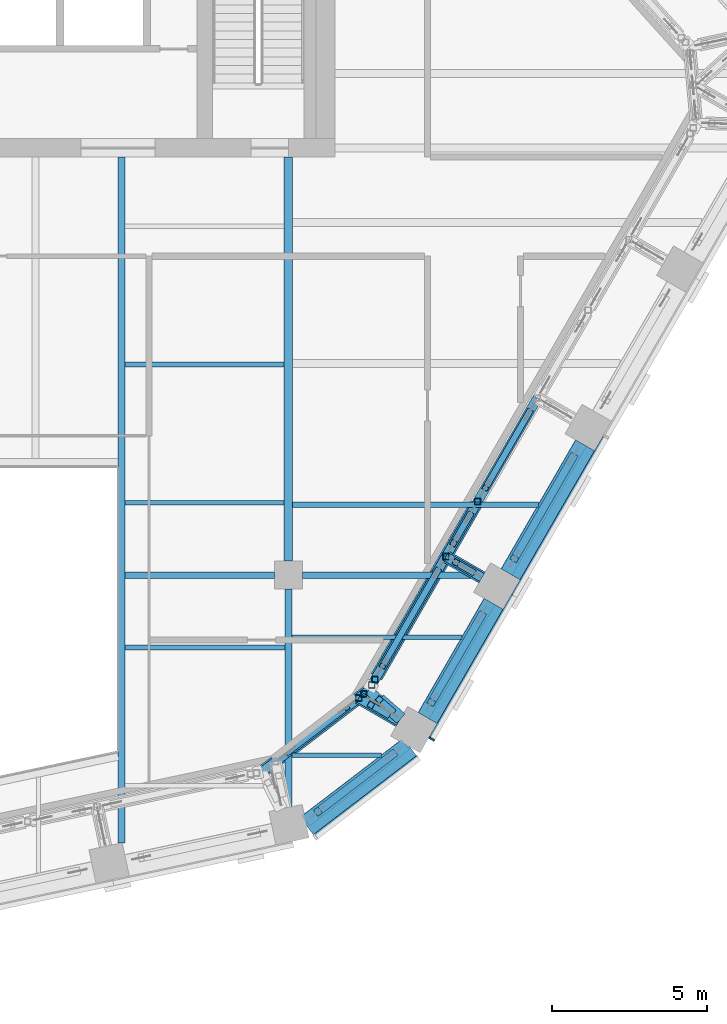
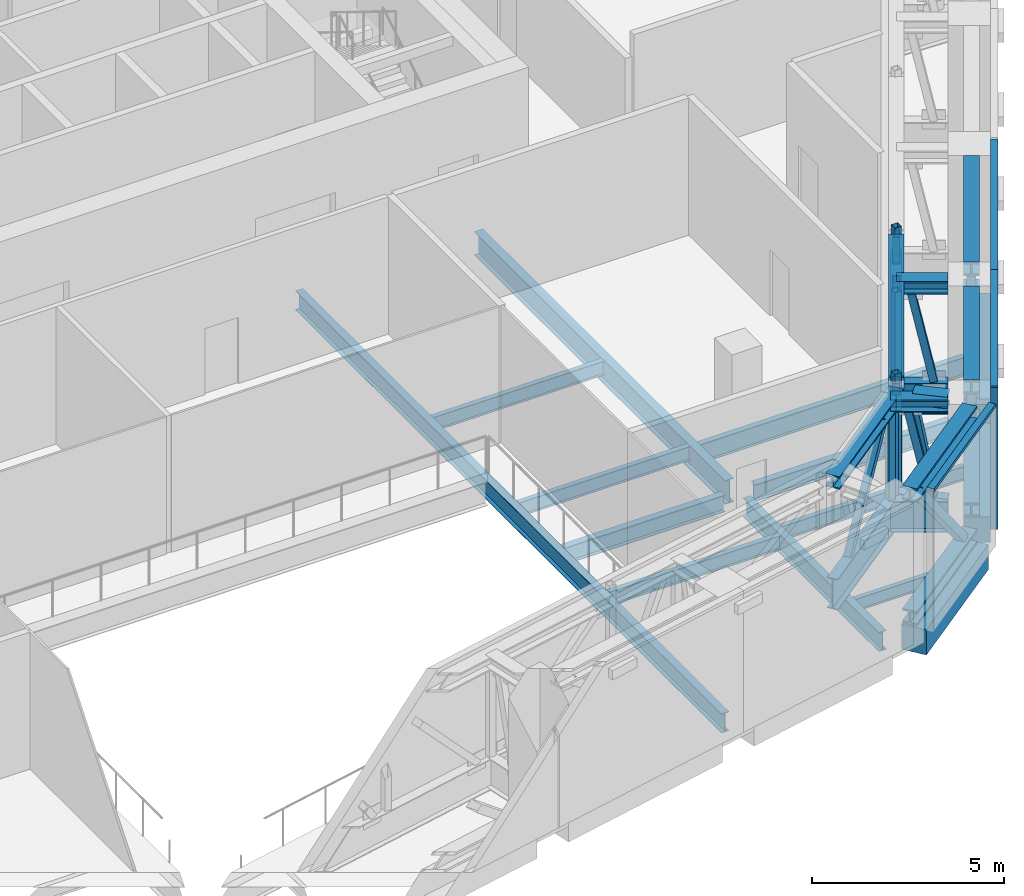
# One storey, part 8 of 25: 37 members, 14 beams, 2 elements without a shape of their own.
"""IFC4 building model written with IfcOpenShell, lengths in metres."""

import ifcopenshell
import ifcopenshell.guid

model = None  # the IFC model being written
_history = None  # IfcOwnerHistory: only IFC2X3 demands one
_inside = {}  # id of a spatial element -> (the spatial element, [elements in it])
_under = {}  # id of a project, library or spatial element -> (it, [spatial elements below it])
_declared = {}  # id of a project -> (the project, [libraries it declares])
_typed = {}  # id of a type object -> (the type object, [elements of that type])
_made_of = {}  # id of a material, layer set ... -> (it, [elements and type objects made of it])


def new_model(schema):
    """Start an empty IFC model of exactly this schema.

    Asked for "IFC4X3", IfcOpenShell would pick the latest addendum, in which some entities
    have other attributes; the version numbers below select the first issue.
    IFC2X3 requires an IfcOwnerHistory on every rooted entity: one is made here for all.
    """
    global model, _history
    if schema == "IFC4X3":
        model = ifcopenshell.file(schema_version=(4, 3, 0, 0))
    else:
        model = ifcopenshell.file(schema=schema)
    _inside.clear()
    _under.clear()
    _declared.clear()
    _typed.clear()
    _made_of.clear()
    _history = None
    if model.schema == "IFC2X3":
        org = make("IfcOrganization", Name="unknown")
        user = make(
            "IfcPersonAndOrganization",
            ThePerson=make("IfcPerson", FamilyName="unknown"),
            TheOrganization=org,
        )
        app = make(
            "IfcApplication",
            ApplicationDeveloper=org,
            Version="unknown",
            ApplicationFullName="unknown",
            ApplicationIdentifier="unknown",
        )
        _history = make(
            "IfcOwnerHistory",
            OwningUser=user,
            OwningApplication=app,
            ChangeAction="ADDED",
            CreationDate=0,
        )
    return model


def make(cls, **values):
    """One entity of the class cls with the attributes given. An attribute that is None is left unset."""
    return model.create_entity(
        cls, **{name: value for name, value in values.items() if value is not None}
    )


def rooted(cls, **values):
    """An entity with a GlobalId (a new one), such as an element, a storey or a relation."""
    return make(cls, GlobalId=ifcopenshell.guid.new(), OwnerHistory=_history, **values)


def si_unit(unit_type, name, prefix=None):
    """IfcSIUnit, for example si_unit("LENGTHUNIT", "METRE", prefix="MILLI")."""
    return make("IfcSIUnit", UnitType=unit_type, Prefix=prefix, Name=name)


def assignment(units):
    """IfcUnitAssignment: the units of a project."""
    return None if units is None else make("IfcUnitAssignment", Units=units)


def point(xyz):
    """IfcCartesianPoint."""
    return None if xyz is None else make("IfcCartesianPoint", Coordinates=xyz)


def direction(xyz):
    """IfcDirection."""
    return None if xyz is None else make("IfcDirection", DirectionRatios=xyz)


def frame(location, z_axis=None, x_axis=None):
    """IfcAxis2Placement3D, a coordinate frame: its origin and axes. An axis left out is left unset."""
    return make(
        "IfcAxis2Placement3D",
        Location=point(location),
        Axis=direction(z_axis),
        RefDirection=direction(x_axis),
    )


def frame_2d(location, x_axis=None):
    """IfcAxis2Placement2D, a coordinate frame in the plane: its origin and x axis."""
    return make(
        "IfcAxis2Placement2D", Location=point(location), RefDirection=direction(x_axis)
    )


def origin():
    """The frame at (0, 0, 0) with its axes left unset."""
    return frame((0.0, 0.0, 0.0))


def origin_2d():
    """The frame at (0, 0) in the plane with its x axis left unset."""
    return frame_2d((0.0, 0.0))


def place(relative_to, where):
    """IfcLocalPlacement: puts the frame where relative to a parent placement (None: the world)."""
    return make(
        "IfcLocalPlacement", PlacementRelTo=relative_to, RelativePlacement=where
    )


def context(
    kind, dimensions, precision=None, world=None, true_north=None, identifier=None
):
    """IfcGeometricRepresentationContext, for example the 3D "Model" context."""
    return make(
        "IfcGeometricRepresentationContext",
        ContextIdentifier=identifier,
        ContextType=kind,
        CoordinateSpaceDimension=dimensions,
        Precision=precision,
        WorldCoordinateSystem=world,
        TrueNorth=true_north,
    )


def subcontext(parent, identifier, kind, view, scale=None):
    """IfcGeometricRepresentationSubContext, for example "Body" below "Model"."""
    return make(
        "IfcGeometricRepresentationSubContext",
        ContextIdentifier=identifier,
        ContextType=kind,
        ParentContext=parent,
        TargetScale=scale,
        TargetView=view,
    )


def project(units=None, contexts=None):
    """IfcProject with its units and contexts."""
    return rooted(
        "IfcProject",
        Name="project",
        RepresentationContexts=contexts,
        UnitsInContext=assignment(units),
    )


def spatial(cls, under=None, at=None, **own):
    """A site, building, storey or space (cls), placed at a placement, below another one or the project."""
    s = rooted(cls, ObjectPlacement=at, **own)
    if under is not None:
        _under.setdefault(under.id(), (under, []))[1].append(s)
    return s


def profile(cls, at=None, kind="AREA", **sizes):
    """A parametric profile (cls). Its sizes go by their IFC names, for example OverallWidth=200.0."""
    return make(cls, ProfileType=kind, Position=at, **sizes)


def rectangle(**sizes):
    """IfcRectangleProfileDef."""
    return profile("IfcRectangleProfileDef", **sizes)


def hollow_rectangle(**sizes):
    """IfcRectangleHollowProfileDef."""
    return profile("IfcRectangleHollowProfileDef", **sizes)


def i_section(**sizes):
    """IfcIShapeProfileDef."""
    return profile("IfcIShapeProfileDef", **sizes)


def extrude(swept, where, along, depth):
    """IfcExtrudedAreaSolid: the profile swept, set in the frame where, extruded along a direction by depth."""
    return make(
        "IfcExtrudedAreaSolid",
        SweptArea=swept,
        Position=where,
        ExtrudedDirection=direction(along),
        Depth=depth,
    )


def shape(context_of_items, identifier, shape_type, items):
    """IfcShapeRepresentation: the items that make up one representation, for example the "Body"."""
    return make(
        "IfcShapeRepresentation",
        ContextOfItems=context_of_items,
        RepresentationIdentifier=identifier,
        RepresentationType=shape_type,
        Items=items,
    )


def material(Name=None, Category=None):
    """IfcMaterial."""
    return make("IfcMaterial", Name=Name, Category=Category)


def layer(
    of_material, thickness, ventilated=None, Name=None, Category=None, Priority=None
):
    """IfcMaterialLayer: one layer of a wall or slab, of a material (None: an air gap)."""
    return make(
        "IfcMaterialLayer",
        Material=of_material,
        LayerThickness=thickness,
        IsVentilated=ventilated,
        Name=Name,
        Category=Category,
        Priority=Priority,
    )


def layer_set(layers, Name=None):
    """IfcMaterialLayerSet."""
    return make("IfcMaterialLayerSet", MaterialLayers=layers, LayerSetName=Name)


def material_profile(
    of_material, cross_section, Name=None, Category=None, Priority=None
):
    """IfcMaterialProfile: a cross section and its material."""
    return make(
        "IfcMaterialProfile",
        Name=Name,
        Material=of_material,
        Profile=cross_section,
        Priority=Priority,
        Category=Category,
    )


def profile_set(profiles, Name=None, composite=None):
    """IfcMaterialProfileSet."""
    return make(
        "IfcMaterialProfileSet",
        Name=Name,
        MaterialProfiles=profiles,
        CompositeProfile=composite,
    )


def made_of(thing, what):
    """Note that an element or type object is made of a material, layer set ...; save() writes the relation."""
    if what is not None:
        _made_of.setdefault(what.id(), (what, []))[1].append(thing)
    return thing


def type_object(cls, material=None, **own):
    """A type object (cls), such as IfcWallType, which elements share."""
    return made_of(rooted(cls, **own), material)


def element(
    cls,
    number,
    at=None,
    inside=None,
    cuts=None,
    type_object=None,
    material=None,
    context=None,
    identifier="Body",
    shape_type=None,
    held_by="IfcProductDefinitionShape",
    body=None,
    shapes=None,
    **own,
):
    """One element of the class cls, such as IfcWall. Its Tag is "e" and its number.

    at: its placement. inside: the storey or other place that contains it. cuts: it is an
    opening in that element (IfcRelVoidsElement). A single representation is given by context,
    identifier, shape_type and body (its items); several are given by shapes. held_by: the class
    of the entity that holds the representations. save() writes the other relations.
    """
    e = rooted(cls, Tag="e%d" % number, ObjectPlacement=at, **own)
    if body is not None:
        shapes = [shape(context, identifier, shape_type, body)]
    if shapes is not None:
        e.Representation = make(held_by, Representations=shapes)
    if inside is not None:
        _inside.setdefault(inside.id(), (inside, []))[1].append(e)
    if cuts is not None:
        rooted(
            "IfcRelVoidsElement", RelatingBuildingElement=cuts, RelatedOpeningElement=e
        )
    if type_object is not None:
        _typed.setdefault(type_object.id(), (type_object, []))[1].append(e)
    return made_of(e, material)


def aggregate(whole, parts):
    """IfcRelAggregates: a whole, such as a stair, and the parts it consists of."""
    return rooted("IfcRelAggregates", RelatingObject=whole, RelatedObjects=parts)


def save(model, path):
    """Write the relations noted so far, then the file.

    IfcRelAggregates (storeys below a building ...), IfcRelContainedInSpatialStructure (elements
    in a storey), IfcRelDefinesByType, IfcRelAssociatesMaterial and IfcRelDeclares: one each for
    every whole, place, type object, material and project.
    """
    for whole, parts in _under.values():
        aggregate(whole, parts)
    for where, things in _inside.values():
        rooted(
            "IfcRelContainedInSpatialStructure",
            RelatedElements=things,
            RelatingStructure=where,
        )
    for kind, things in _typed.values():
        rooted("IfcRelDefinesByType", RelatedObjects=things, RelatingType=kind)
    for what, things in _made_of.values():
        rooted("IfcRelAssociatesMaterial", RelatedObjects=things, RelatingMaterial=what)
    for by, libraries in _declared.values():
        rooted("IfcRelDeclares", RelatingContext=by, RelatedDefinitions=libraries)
    model.write(path)


model = new_model("IFC4")

# Units and contexts
model_context = context("Model", 3, precision=1e-05, world=origin(), true_north=direction((0.0, 1.0)))
body_context = subcontext(model_context, "Body", "Model", "MODEL_VIEW")
ifc_project = project(units=[si_unit("LENGTHUNIT", "METRE"), si_unit("AREAUNIT", "SQUARE_METRE"), si_unit("VOLUMEUNIT", "CUBIC_METRE"), si_unit("PLANEANGLEUNIT", "RADIAN"), si_unit("MASSUNIT", "GRAM", prefix="KILO")], contexts=[model_context])

# Site, building, storey
site_placement = place(None, origin())
site = spatial("IfcSite", under=ifc_project, at=site_placement, CompositionType="ELEMENT")
building_placement = place(site_placement, origin())
building = spatial("IfcBuilding", under=site, at=building_placement, Name="Isthmus Gate Tower", CompositionType="ELEMENT")
storey_placement = place(building_placement, frame((0.0, 0.0, 256.449951171875)))
storey = spatial("IfcBuildingStorey", under=building, at=storey_placement, Name="L65", CompositionType="ELEMENT", Elevation=256.449951171875)

# Members
ifc_material_1 = material(Name="Structural steel ASTM A913 Gr 65", Category="steel")
ifc_material_profile_1 = material_profile(ifc_material_1, i_section(OverallWidth=0.416015625, OverallDepth=0.444580078125, WebThickness=0.039794921875, FlangeThickness=0.0634765625, at=origin_2d()), Name="W14X342")
ifc_profile_set_1 = profile_set([ifc_material_profile_1], Name="Structural steel ASTM A913 Gr 65")
member_type_1 = type_object("IfcMemberType", Name="BELT TRUSS CHORD W14X342", PredefinedType="CHORD", material=ifc_profile_set_1)
for number, where, z_axis, x_axis, name in (
    (1, (22.957763671875, -9.236083984375, 0.222412109375), (-0.49998164095, -0.866036003127, 0.0), (0.866036003127, -0.49998164095, 0.0), "str-belt08-L65-01"),
    (2, (22.957763671875, -9.236083984375, 4.127685546875), (-0.49998164095, -0.866036003127, 0.0), (0.866036003127, -0.49998164095, 0.0), "str-belt08-L65-02"),
):
    element("IfcMember", number, at=place(storey_placement, frame(where, z_axis=z_axis, x_axis=x_axis)), inside=storey, type_object=member_type_1, Name=name, PredefinedType="CHORD", context=body_context, shape_type="SweptSolid", body=[
        extrude(i_section(OverallWidth=0.416015625, OverallDepth=0.444580078125, WebThickness=0.039794921875, FlangeThickness=0.0634765625, at=origin_2d()), origin(), (0.0, 0.0, 1.0), 4.810791015625),
    ])
for number, where, z_axis, x_axis, name in (
    (3, (20.00244140625, -14.35498046875, 0.222412109375), (-0.500021719575, -0.866012863619, 0.0), (0.866012863619, -0.500021719575, 0.0), "str-belt09-L65-01"),
    (4, (20.00244140625, -14.35498046875, 4.127685546875), (-0.500021719575, -0.866012863619, 0.0), (0.866012863619, -0.500021719575, 0.0), "str-belt09-L65-02"),
):
    element("IfcMember", number, at=place(storey_placement, frame(where, z_axis=z_axis, x_axis=x_axis)), inside=storey, type_object=member_type_1, Name=name, PredefinedType="CHORD", context=body_context, shape_type="SweptSolid", body=[
        extrude(i_section(OverallWidth=0.416015625, OverallDepth=0.444580078125, WebThickness=0.039794921875, FlangeThickness=0.0634765625, at=origin_2d()), origin(), (0.0, 0.0, 1.0), 4.260498046875),
    ])
for number, where, z_axis, x_axis, name in (
    (5, (17.2861328125, -18.9765625, 0.222412109375), (-0.794209432337, -0.607644120837, 0.0), (0.607644120837, -0.794209432337, 0.0), "str-belt10-L65-01"),
    (6, (17.2861328125, -18.9765625, 4.127685546875), (-0.794209432337, -0.607644120837, 0.0), (0.607644120837, -0.794209432337, 0.0), "str-belt10-L65-02"),
):
    element("IfcMember", number, at=place(storey_placement, frame(where, z_axis=z_axis, x_axis=x_axis)), inside=storey, type_object=member_type_1, Name=name, PredefinedType="CHORD", context=body_context, shape_type="SweptSolid", body=[
        extrude(i_section(OverallWidth=0.416015625, OverallDepth=0.444580078125, WebThickness=0.039794921875, FlangeThickness=0.0634765625, at=origin_2d()), origin(), (0.0, 0.0, 1.0), 4.063232421875),
    ])

# Curtain wall, member
ifc_material_2 = material(Name="Aluminium, pale champagne anodised", Category="aluminium")
ifc_layer = layer(ifc_material_2, 0.199951171875)
ifc_layer_set = layer_set([ifc_layer], Name="CW-2 LOUVRE CURTAIN WALL 200 DEEP")
curtain_wall_type = type_object("IfcCurtainWallType", Name="CW-2 LOUVRE CURTAIN WALL 200 DEEP", PredefinedType="NOTDEFINED", material=ifc_layer_set)
curtain_wall_1_placement = place(storey_placement, origin())
curtain_wall_1 = element("IfcCurtainWall", 7, at=curtain_wall_1_placement, inside=storey, type_object=curtain_wall_type, Name="CW-2 SE L65", PredefinedType="NOTDEFINED")
ifc_material_3 = material(Name="Aluminium, pale champagne anodised", Category="aluminium")
ifc_material_profile_2 = material_profile(ifc_material_3, rectangle(XDim=0.06005859375, YDim=0.199951171875, at=origin_2d()), Name="60x200")
ifc_profile_set_2 = profile_set([ifc_material_profile_2], Name="Aluminium, pale champagne anodised")
member_type_2 = type_object("IfcMemberType", Name="CW-2 MULLION 60 X 200", PredefinedType="MULLION", material=ifc_profile_set_2)
member_1_placement = place(storey_placement, frame((18.131591796875, -18.794921875, 0.0), z_axis=(0.0, 0.0, 1.0), x_axis=(0.5, 0.866025403784, 0.0)))
member_1 = element("IfcMember", 8, at=member_1_placement, type_object=member_type_2, Name="CW-2 mullion", PredefinedType="MULLION", context=body_context, shape_type="SweptSolid", body=[
    extrude(rectangle(XDim=0.06005859375, YDim=0.199951171875, at=origin_2d()), origin(), (0.0, 0.0, 1.0), 4.5),
])

curtain_wall_2_placement = place(storey_placement, origin())
curtain_wall_2 = element("IfcCurtainWall", 9, at=curtain_wall_2_placement, inside=storey, type_object=curtain_wall_type, Name="CW-2 S-SE L65", PredefinedType="NOTDEFINED")
ifc_material_4 = material(Name="Aluminium, pale champagne anodised", Category="aluminium")
ifc_material_profile_3 = material_profile(ifc_material_4, rectangle(XDim=0.199951171875, YDim=0.10009765625, at=origin_2d()), Name="200x100")
ifc_profile_set_3 = profile_set([ifc_material_profile_3], Name="Aluminium, pale champagne anodised")
member_type_3 = type_object("IfcMemberType", Name="CW-2 TRANSOM 200 X 100", PredefinedType="USERDEFINED", material=ifc_profile_set_3)
member_2_placement = place(storey_placement, frame((14.39599609375, -21.943603515625, 4.449951171875), z_axis=(0.794175498212, 0.607688471209, 0.0), x_axis=(-0.607688471209, 0.794175498212, 0.0)))
member_2 = element("IfcMember", 10, at=member_2_placement, type_object=member_type_3, Name="CW-2 transom", ObjectType="TRANSOM", PredefinedType="USERDEFINED", context=body_context, shape_type="SweptSolid", body=[
    extrude(rectangle(XDim=0.199951171875, YDim=0.10009765625, at=origin_2d()), origin(), (0.0, 0.0, 1.0), 4.181396484375),
])
aggregate(curtain_wall_2, [member_2])

# Member
member_3_placement = place(storey_placement, frame((18.146728515625, -18.76904296875, 4.449951171875), z_axis=(0.499968318869, 0.866043694121, 0.0), x_axis=(-0.866043694121, 0.499968318869, 0.0)))
member_3 = element("IfcMember", 11, at=member_3_placement, type_object=member_type_3, Name="CW-2 transom", ObjectType="TRANSOM", PredefinedType="USERDEFINED", context=body_context, shape_type="SweptSolid", body=[
    extrude(rectangle(XDim=0.199951171875, YDim=0.10009765625, at=origin_2d()), origin(), (0.0, 0.0, 1.0), 5.300537109375),
])

member_4_placement = place(storey_placement, frame((20.796875, -14.178466796875, 4.449951171875), z_axis=(0.500008496284, 0.866020498397, 0.0), x_axis=(-0.866020498397, 0.500008496284, 0.0)))
member_4 = element("IfcMember", 12, at=member_4_placement, type_object=member_type_3, Name="CW-2 transom", ObjectType="TRANSOM", PredefinedType="USERDEFINED", context=body_context, shape_type="SweptSolid", body=[
    extrude(rectangle(XDim=0.199951171875, YDim=0.10009765625, at=origin_2d()), origin(), (0.0, 0.0, 1.0), 5.91064453125),
])

aggregate(curtain_wall_1, [member_1, member_3, member_4])

# Beams
ifc_material_5 = material(Name="Concrete f'c 50 MPa", Category="concrete")
ifc_material_profile_4 = material_profile(ifc_material_5, rectangle(XDim=0.699951171875, YDim=0.800048828125, at=origin_2d()), Name="RC 700X800")
ifc_profile_set_4 = profile_set([ifc_material_profile_4], Name="Concrete f'c 50 MPa")
beam_type_1 = type_object("IfcBeamType", Name="RC SPANDREL 700 X 800", PredefinedType="SPANDREL", material=ifc_profile_set_4)
beam_1_placement = place(storey_placement, frame((23.087646484375, -9.31103515625, -0.39990234375), z_axis=(-0.49998164095, -0.866036003127, 0.0), x_axis=(0.866036003127, -0.49998164095, 0.0)))
element("IfcBeam", 13, at=beam_1_placement, inside=storey, type_object=beam_type_1, Name="str-spandrel-L65-08", PredefinedType="SPANDREL", context=body_context, shape_type="SweptSolid", body=[
    extrude(rectangle(XDim=0.699951171875, YDim=0.800048828125, at=origin_2d()), origin(), (0.0, 0.0, 1.0), 4.810791015625),
])
beam_2_placement = place(storey_placement, frame((20.13232421875, -14.429931640625, -0.39990234375), z_axis=(-0.500021719575, -0.866012863619, 0.0), x_axis=(0.866012863619, -0.500021719575, 0.0)))
element("IfcBeam", 14, at=beam_2_placement, inside=storey, type_object=beam_type_1, Name="str-spandrel-L65-09", PredefinedType="SPANDREL", context=body_context, shape_type="SweptSolid", body=[
    extrude(rectangle(XDim=0.699951171875, YDim=0.800048828125, at=origin_2d()), origin(), (0.0, 0.0, 1.0), 4.260498046875),
])
beam_3_placement = place(storey_placement, frame((17.4267578125, -19.057861328125, -0.39990234375), z_axis=(-0.794182771845, -0.60767896533, 0.0), x_axis=(0.60767896533, -0.794182771845, 0.0)))
element("IfcBeam", 15, at=beam_3_placement, inside=storey, type_object=beam_type_1, Name="str-spandrel-L65-10", PredefinedType="SPANDREL", context=body_context, shape_type="SweptSolid", body=[
    extrude(rectangle(XDim=0.699951171875, YDim=0.800048828125, at=origin_2d()), origin(), (0.0, 0.0, 1.0), 4.19677734375),
])
ifc_material_6 = material(Name="Structural steel ASTM A992 Gr 50", Category="steel")
ifc_material_profile_5 = material_profile(ifc_material_6, i_section(OverallWidth=0.1396484375, OverallDepth=0.4033203125, WebThickness=0.00634765625, FlangeThickness=0.010986328125, at=origin_2d()), Name="W16X31")
ifc_profile_set_5 = profile_set([ifc_material_profile_5], Name="Structural steel ASTM A992 Gr 50")
beam_type_2 = type_object("IfcBeamType", Name="STEEL FLOOR BEAM W16X31", PredefinedType="JOIST", material=ifc_profile_set_5)
beam_4_placement = place(storey_placement, frame((13.6142578125, -19.322998046875, -0.50146484375), z_axis=(1.0, 0.0, 0.0), x_axis=(0.0, 1.0, 0.0)))
element("IfcBeam", 16, at=beam_4_placement, inside=storey, type_object=beam_type_2, Name="str-beam-L65-11-00", PredefinedType="JOIST", context=body_context, shape_type="SweptSolid", body=[
    extrude(i_section(OverallWidth=0.1396484375, OverallDepth=0.4033203125, WebThickness=0.00634765625, FlangeThickness=0.010986328125, at=origin_2d()), origin(), (0.0, 0.0, 1.0), 2.889892578125),
])
ifc_material_7 = material(Name="Structural steel ASTM A992 Gr 50", Category="steel")
ifc_material_profile_6 = material_profile(ifc_material_7, i_section(OverallWidth=0.15234375, OverallDepth=0.45068359375, WebThickness=0.0078125, FlangeThickness=0.010986328125, at=origin_2d()), Name="W18X35")
ifc_profile_set_6 = profile_set([ifc_material_profile_6], Name="Structural steel ASTM A992 Gr 50")
beam_type_3 = type_object("IfcBeamType", Name="STEEL FLOOR BEAM W18X35", PredefinedType="JOIST", material=ifc_profile_set_6)
beam_5_placement = place(storey_placement, frame((8.228515625, -15.838134765625, -0.525390625), z_axis=(1.0, 0.0, 0.0), x_axis=(0.0, 1.0, 0.0)))
element("IfcBeam", 17, at=beam_5_placement, inside=storey, type_object=beam_type_3, Name="str-beam-L65-09-01", PredefinedType="JOIST", context=body_context, shape_type="SweptSolid", body=[
    extrude(i_section(OverallWidth=0.15234375, OverallDepth=0.45068359375, WebThickness=0.0078125, FlangeThickness=0.010986328125, at=origin_2d()), origin(), (0.0, 0.0, 1.0), 5.1572265625),
])
for number, where, z_axis, x_axis, name in (
    (18, (8.228515625, -11.16259765625, -0.525390625), (1.0, 0.0, 0.0), (0.0, 1.0, 0.0), "str-beam-L65-10-00"),
    (19, (8.228515625, -6.697509765625, -0.525390625), (1.0, 0.0, 0.0), (0.0, 1.0, 0.0), "str-beam-L65-10-01"),
):
    element("IfcBeam", number, at=place(storey_placement, frame(where, z_axis=z_axis, x_axis=x_axis)), inside=storey, type_object=beam_type_3, Name=name, PredefinedType="JOIST", context=body_context, shape_type="SweptSolid", body=[
        extrude(i_section(OverallWidth=0.15234375, OverallDepth=0.45068359375, WebThickness=0.0078125, FlangeThickness=0.010986328125, at=origin_2d()), origin(), (0.0, 0.0, 1.0), 5.1396484375),
    ])
beam_6_placement = place(storey_placement, frame((13.6142578125, -15.5107421875, -0.525390625), z_axis=(1.0, 0.0, 0.0), x_axis=(0.0, 1.0, 0.0)))
element("IfcBeam", 20, at=beam_6_placement, inside=storey, type_object=beam_type_3, Name="str-beam-L65-11-01", PredefinedType="JOIST", context=body_context, shape_type="SweptSolid", body=[
    extrude(i_section(OverallWidth=0.15234375, OverallDepth=0.45068359375, WebThickness=0.0078125, FlangeThickness=0.010986328125, at=origin_2d()), origin(), (0.0, 0.0, 1.0), 5.48974609375),
])
ifc_material_8 = material(Name="Structural steel ASTM A992 Gr 50", Category="steel")
ifc_material_profile_7 = material_profile(ifc_material_8, i_section(OverallWidth=0.177734375, OverallDepth=0.60009765625, WebThickness=0.009521484375, FlangeThickness=0.0126953125, at=origin_2d()), Name="W24X55")
ifc_profile_set_7 = profile_set([ifc_material_profile_7], Name="Structural steel ASTM A992 Gr 50")
beam_type_4 = type_object("IfcBeamType", Name="STEEL FLOOR BEAM W24X55", PredefinedType="JOIST", material=ifc_profile_set_7)
beam_7_placement = place(storey_placement, frame((13.6318359375, -11.221923828125, -0.60009765625), z_axis=(1.0, 0.0, 0.0), x_axis=(0.0, 1.0, 0.0)))
element("IfcBeam", 21, at=beam_7_placement, inside=storey, type_object=beam_type_4, Name="str-beam-L65-12-00", PredefinedType="JOIST", context=body_context, shape_type="SweptSolid", body=[
    extrude(i_section(OverallWidth=0.177734375, OverallDepth=0.60009765625, WebThickness=0.009521484375, FlangeThickness=0.0126953125, at=origin_2d()), origin(), (0.0, 0.0, 1.0), 7.948486328125),
])
ifc_material_9 = material(Name="Structural steel ASTM A992 Gr 50", Category="steel")
ifc_material_profile_8 = material_profile(ifc_material_9, i_section(OverallWidth=0.20947265625, OverallDepth=0.533447265625, WebThickness=0.009521484375, FlangeThickness=0.015869140625, at=origin_2d()), Name="W21X62")
ifc_profile_set_8 = profile_set([ifc_material_profile_8], Name="Structural steel ASTM A992 Gr 50")
beam_type_5 = type_object("IfcBeamType", Name="STEEL GIRDER W21X62", PredefinedType="BEAM", material=ifc_profile_set_8)
beam_8_placement = place(storey_placement, frame((8.228515625, -13.5, -0.566650390625), z_axis=(1.0, 0.0, 0.0), x_axis=(0.0, 1.0, 0.0)))
element("IfcBeam", 22, at=beam_8_placement, inside=storey, type_object=beam_type_5, Name="str-girder-L65-03", PredefinedType="BEAM", context=body_context, shape_type="SweptSolid", body=[
    extrude(i_section(OverallWidth=0.20947265625, OverallDepth=0.533447265625, WebThickness=0.009521484375, FlangeThickness=0.015869140625, at=origin_2d()), origin(), (0.0, 0.0, 1.0), 4.821533203125),
])
beam_9_placement = place(storey_placement, frame((13.949951171875, -13.5, -0.566650390625), z_axis=(1.0, 0.0, 0.0), x_axis=(0.0, 1.0, 0.0)))
element("IfcBeam", 23, at=beam_9_placement, inside=storey, type_object=beam_type_5, Name="str-girder-L65-04", PredefinedType="BEAM", context=body_context, shape_type="SweptSolid", body=[
    extrude(i_section(OverallWidth=0.20947265625, OverallDepth=0.533447265625, WebThickness=0.009521484375, FlangeThickness=0.015869140625, at=origin_2d()), origin(), (0.0, 0.0, 1.0), 5.853271484375),
])
ifc_material_10 = material(Name="Structural steel ASTM A992 Gr 50", Category="steel")
ifc_material_profile_9 = material_profile(ifc_material_10, i_section(OverallWidth=0.228515625, OverallDepth=0.603271484375, WebThickness=0.010986328125, FlangeThickness=0.014404296875, at=origin_2d()), Name="W24X68")
ifc_profile_set_9 = profile_set([ifc_material_profile_9], Name="Structural steel ASTM A992 Gr 50")
beam_type_6 = type_object("IfcBeamType", Name="STEEL GIRDER W24X68", PredefinedType="BEAM", material=ifc_profile_set_9)
beam_10_placement = place(storey_placement, frame((13.5, -21.005859375, -0.6015625), z_axis=(0.0, 1.0, 0.0), x_axis=(-1.0, 0.0, 0.0)))
element("IfcBeam", 24, at=beam_10_placement, inside=storey, type_object=beam_type_6, Name="str-girder-L65-07", PredefinedType="BEAM", context=body_context, shape_type="SweptSolid", body=[
    extrude(i_section(OverallWidth=0.228515625, OverallDepth=0.603271484375, WebThickness=0.010986328125, FlangeThickness=0.014404296875, at=origin_2d()), origin(), (0.0, 0.0, 1.0), 7.055908203125),
])
ifc_material_11 = material(Name="Structural steel ASTM A992 Gr 50", Category="steel")
ifc_material_profile_10 = material_profile(ifc_material_11, i_section(OverallWidth=0.263427734375, OverallDepth=0.749267578125, WebThickness=0.0126953125, FlangeThickness=0.015869140625, at=origin_2d()), Name="W30X90")
ifc_profile_set_10 = profile_set([ifc_material_profile_10], Name="Structural steel ASTM A992 Gr 50")
beam_type_7 = type_object("IfcBeamType", Name="STEEL GIRDER W30X90", PredefinedType="BEAM", material=ifc_profile_set_10)
beam_11_placement = place(storey_placement, frame((13.5, -13.050048828125, -0.674560546875), z_axis=(0.0, 1.0, 0.0), x_axis=(-1.0, 0.0, 0.0)))
element("IfcBeam", 25, at=beam_11_placement, inside=storey, type_object=beam_type_7, Name="str-girder-L65-08", PredefinedType="BEAM", context=body_context, shape_type="SweptSolid", body=[
    extrude(i_section(OverallWidth=0.263427734375, OverallDepth=0.749267578125, WebThickness=0.0126953125, FlangeThickness=0.015869140625, at=origin_2d()), origin(), (0.0, 0.0, 1.0), 13.050048828125),
])
ifc_material_12 = material(Name="Structural steel ASTM A992 Gr 50", Category="steel")
ifc_material_profile_11 = material_profile(ifc_material_12, i_section(OverallWidth=0.228515625, OverallDepth=0.6064453125, WebThickness=0.010986328125, FlangeThickness=0.017578125, at=origin_2d()), Name="W24X76")
ifc_profile_set_11 = profile_set([ifc_material_profile_11], Name="Structural steel ASTM A992 Gr 50")
beam_type_8 = type_object("IfcBeamType", Name="STEEL TRIMMER W24X76", PredefinedType="BEAM", material=ifc_profile_set_11)
beam_12_placement = place(storey_placement, frame((8.1142578125, -22.150634765625, -0.603271484375), z_axis=(0.0, 1.0, 0.0), x_axis=(-1.0, 0.0, 0.0)))
element("IfcBeam", 26, at=beam_12_placement, inside=storey, type_object=beam_type_8, Name="str-trimmer-L65-01", PredefinedType="BEAM", context=body_context, shape_type="SweptSolid", body=[
    extrude(i_section(OverallWidth=0.228515625, OverallDepth=0.6064453125, WebThickness=0.010986328125, FlangeThickness=0.017578125, at=origin_2d()), origin(), (0.0, 0.0, 1.0), 22.150634765625),
])

# Members
ifc_material_13 = material(Name="Structural steel ASTM A913 Gr 65", Category="steel")
ifc_material_profile_12 = material_profile(ifc_material_13, i_section(OverallWidth=0.4033203125, OverallDepth=0.406494140625, WebThickness=0.027099609375, FlangeThickness=0.04443359375, at=origin_2d()), Name="W14X233")
ifc_profile_set_12 = profile_set([ifc_material_profile_12], Name="Structural steel ASTM A913 Gr 65")
member_type_4 = type_object("IfcMemberType", Name="TRANSFER TRUSS CHORD W14X233", PredefinedType="CHORD", material=ifc_profile_set_12)
member_5_placement = place(storey_placement, frame((19.5654296875, -11.211669921875, 4.046875), z_axis=(-0.500007914587, -0.866020834248, 0.0), x_axis=(0.866020834248, -0.500007914587, 0.0)))
element("IfcMember", 27, at=member_5_placement, inside=storey, type_object=member_type_4, Name="str-ring03-L65-17", PredefinedType="CHORD", context=body_context, shape_type="SweptSolid", body=[
    extrude(i_section(OverallWidth=0.4033203125, OverallDepth=0.406494140625, WebThickness=0.027099609375, FlangeThickness=0.04443359375, at=origin_2d()), origin(), (0.0, 0.0, 1.0), 6.44091796875),
])
member_6_placement = place(storey_placement, frame((16.093994140625, -17.224365234375, 4.046875), z_axis=(-0.794202117537, -0.607653681385, 0.0), x_axis=(0.607653681385, -0.794202117537, 0.0)))
element("IfcMember", 28, at=member_6_placement, inside=storey, type_object=member_type_4, Name="str-ring04-L65-06", PredefinedType="CHORD", context=body_context, shape_type="SweptSolid", body=[
    extrude(i_section(OverallWidth=0.4033203125, OverallDepth=0.406494140625, WebThickness=0.027099609375, FlangeThickness=0.04443359375, at=origin_2d()), origin(), (0.0, 0.0, 1.0), 4.3173828125),
])
member_7_placement = place(storey_placement, frame((17.077392578125, -18.220947265625, 4.046875), z_axis=(-0.866007204314, 0.500031521082, 0.0), x_axis=(-0.500031521082, -0.866007204314, 0.0)))
element("IfcMember", 29, at=member_7_placement, inside=storey, type_object=member_type_4, Name="str-link20-L65-02", PredefinedType="CHORD", context=body_context, shape_type="SweptSolid", body=[
    extrude(i_section(OverallWidth=0.4033203125, OverallDepth=0.406494140625, WebThickness=0.027099609375, FlangeThickness=0.04443359375, at=origin_2d()), origin(), (0.0, 0.0, 1.0), 1.50439453125),
])
member_8_placement = place(storey_placement, frame((19.7578125, -13.57861328125, 4.046875), z_axis=(-0.866019956843, 0.50000943426, 0.0), x_axis=(-0.50000943426, -0.866019956843, 0.0)))
element("IfcMember", 30, at=member_8_placement, inside=storey, type_object=member_type_4, Name="str-link21-L65-02", PredefinedType="CHORD", context=body_context, shape_type="SweptSolid", body=[
    extrude(i_section(OverallWidth=0.4033203125, OverallDepth=0.406494140625, WebThickness=0.027099609375, FlangeThickness=0.04443359375, at=origin_2d()), origin(), (0.0, 0.0, 1.0), 1.35009765625),
])
member_9_placement = place(storey_placement, frame((17.13916015625, -18.134765625, 4.046875), z_axis=(-0.753993293442, 0.656882115333, 0.0), x_axis=(-0.656882115333, -0.753993293442, 0.0)))
element("IfcMember", 31, at=member_9_placement, inside=storey, type_object=member_type_4, Name="str-link34-L65-02", PredefinedType="CHORD", context=body_context, shape_type="SweptSolid", body=[
    extrude(i_section(OverallWidth=0.4033203125, OverallDepth=0.406494140625, WebThickness=0.027099609375, FlangeThickness=0.04443359375, at=origin_2d()), origin(), (0.0, 0.0, 1.0), 0.927734375),
])
ifc_material_14 = material(Name="Structural steel ASTM A913 Gr 65", Category="steel")
ifc_material_profile_13 = material_profile(ifc_material_14, i_section(OverallWidth=0.29833984375, OverallDepth=0.981201171875, WebThickness=0.015869140625, FlangeThickness=0.025390625, at=origin_2d()), Name="W40X167")
ifc_profile_set_13 = profile_set([ifc_material_profile_13], Name="Structural steel ASTM A913 Gr 65")
member_type_5 = type_object("IfcMemberType", Name="TRANSFER TRUSS CHORD W40X167", PredefinedType="CHORD", material=ifc_profile_set_13)
member_10_placement = place(storey_placement, frame((21.543701171875, -7.78515625, 0.490478515625), z_axis=(-0.500013290014, -0.866017730655, 0.0), x_axis=(0.866017730655, -0.500013290014, 0.0)))
element("IfcMember", 32, at=member_10_placement, inside=storey, type_object=member_type_5, Name="str-ring03-L65-12", PredefinedType="CHORD", context=body_context, shape_type="SweptSolid", body=[
    extrude(i_section(OverallWidth=0.29833984375, OverallDepth=0.981201171875, WebThickness=0.015869140625, FlangeThickness=0.025390625, at=origin_2d()), origin(), (0.0, 0.0, 1.0), 5.909912109375),
])
member_11_placement = place(storey_placement, frame((18.588623046875, -12.9033203125, 0.490478515625), z_axis=(-0.499980828035, -0.86603647244, 0.0), x_axis=(0.86603647244, -0.499980828035, 0.0)))
element("IfcMember", 33, at=member_11_placement, inside=storey, type_object=member_type_5, Name="str-ring03-L65-13", PredefinedType="CHORD", context=body_context, shape_type="SweptSolid", body=[
    extrude(i_section(OverallWidth=0.29833984375, OverallDepth=0.981201171875, WebThickness=0.015869140625, FlangeThickness=0.025390625, at=origin_2d()), origin(), (0.0, 0.0, 1.0), 4.989501953125),
])
member_12_placement = place(storey_placement, frame((16.093994140625, -17.224365234375, 0.490478515625), z_axis=(-0.794202117537, -0.607653681385, 0.0), x_axis=(0.607653681385, -0.794202117537, 0.0)))
element("IfcMember", 34, at=member_12_placement, inside=storey, type_object=member_type_5, Name="str-ring04-L65-05", PredefinedType="CHORD", context=body_context, shape_type="SweptSolid", body=[
    extrude(i_section(OverallWidth=0.29833984375, OverallDepth=0.981201171875, WebThickness=0.015869140625, FlangeThickness=0.025390625, at=origin_2d()), origin(), (0.0, 0.0, 1.0), 4.3173828125),
])
member_13_placement = place(storey_placement, frame((17.077392578125, -18.220947265625, 0.490478515625), z_axis=(-0.866007204314, 0.500031521082, 0.0), x_axis=(-0.500031521082, -0.866007204314, 0.0)))
element("IfcMember", 35, at=member_13_placement, inside=storey, type_object=member_type_5, Name="str-link20-L65-01", PredefinedType="CHORD", context=body_context, shape_type="SweptSolid", body=[
    extrude(i_section(OverallWidth=0.29833984375, OverallDepth=0.981201171875, WebThickness=0.015869140625, FlangeThickness=0.025390625, at=origin_2d()), origin(), (0.0, 0.0, 1.0), 1.50439453125),
])
member_14_placement = place(storey_placement, frame((19.7578125, -13.57861328125, 0.490478515625), z_axis=(-0.866019956843, 0.50000943426, 0.0), x_axis=(-0.50000943426, -0.866019956843, 0.0)))
element("IfcMember", 36, at=member_14_placement, inside=storey, type_object=member_type_5, Name="str-link21-L65-01", PredefinedType="CHORD", context=body_context, shape_type="SweptSolid", body=[
    extrude(i_section(OverallWidth=0.29833984375, OverallDepth=0.981201171875, WebThickness=0.015869140625, FlangeThickness=0.025390625, at=origin_2d()), origin(), (0.0, 0.0, 1.0), 1.35009765625),
])
member_15_placement = place(storey_placement, frame((17.13916015625, -18.134765625, 0.490478515625), z_axis=(-0.754047826374, 0.656819515195, 0.0), x_axis=(-0.656819515195, -0.754047826374, 0.0)))
element("IfcMember", 37, at=member_15_placement, inside=storey, type_object=member_type_5, Name="str-link34-L65-01", PredefinedType="CHORD", context=body_context, shape_type="SweptSolid", body=[
    extrude(i_section(OverallWidth=0.29833984375, OverallDepth=0.981201171875, WebThickness=0.015869140625, FlangeThickness=0.025390625, at=origin_2d()), origin(), (0.0, 0.0, 1.0), 1.385986328125),
])
ifc_material_15 = material(Name="Structural steel ASTM A500 Gr C", Category="steel")
ifc_material_profile_14 = material_profile(ifc_material_15, hollow_rectangle(XDim=0.203125, YDim=0.203125, WallThickness=0.01171875, at=origin_2d()), Name="HSS8X8X1/2")
ifc_profile_set_14 = profile_set([ifc_material_profile_14], Name="Structural steel ASTM A500 Gr C")
member_type_6 = type_object("IfcMemberType", Name="TRANSFER TRUSS DIAGONAL HSS8X8X1/2", PredefinedType="BRACE", material=ifc_profile_set_14)
member_16_placement = place(storey_placement, frame((21.293701171875, -8.21826171875, 0.981201171875), z_axis=(-0.353089004435, -0.611549914129, 0.708050038823), x_axis=(0.866018967109, -0.500011148483, 0.0)))
element("IfcMember", 38, at=member_16_placement, inside=storey, type_object=member_type_6, Name="str-ring03-L65-22", PredefinedType="BRACE", context=body_context, shape_type="SweptSolid", body=[
    extrude(hollow_rectangle(XDim=0.203125, YDim=0.203125, WallThickness=0.01171875, at=origin_2d()), origin(), (0.0, 0.0, 1.0), 4.04296875),
])
member_17_placement = place(storey_placement, frame((19.3662109375, -11.556640625, 0.981201171875), z_axis=(-0.172932250034, -0.299530500638, 0.938283494518), x_axis=(0.866027613664, -0.499996172356, 0.0)))
element("IfcMember", 39, at=member_17_placement, inside=storey, type_object=member_type_6, Name="str-ring03-L65-23", PredefinedType="BRACE", context=body_context, shape_type="SweptSolid", body=[
    extrude(hollow_rectangle(XDim=0.203125, YDim=0.203125, WallThickness=0.01171875, at=origin_2d()), origin(), (0.0, 0.0, 1.0), 3.05078125),
])
member_18_placement = place(storey_placement, frame((18.338623046875, -13.33642578125, 0.981201171875), z_axis=(-0.39088198171, -0.6770501373, 0.623549827966), x_axis=(0.866032658007, -0.499987435107, 0.0)))
element("IfcMember", 40, at=member_18_placement, inside=storey, type_object=member_type_6, Name="str-ring03-L65-24", PredefinedType="BRACE", context=body_context, shape_type="SweptSolid", body=[
    extrude(hollow_rectangle(XDim=0.203125, YDim=0.203125, WallThickness=0.01171875, at=origin_2d()), origin(), (0.0, 0.0, 1.0), 4.5908203125),
])
member_19_placement = place(storey_placement, frame((13.485107421875, -19.220458984375, 0.981201171875), z_axis=(0.508127563235, 0.388764780385, 0.768549494186), x_axis=(-0.607644032834, 0.794209499667, 0.0)))
element("IfcMember", 41, at=member_19_placement, inside=storey, type_object=member_type_6, Name="str-ring04-L65-07", PredefinedType="BRACE", context=body_context, shape_type="SweptSolid", body=[
    extrude(hollow_rectangle(XDim=0.203125, YDim=0.203125, WallThickness=0.01171875, at=origin_2d()), origin(), (0.0, 0.0, 1.0), 3.724609375),
])
for number, where, z_axis, x_axis, name in (
    (42, (16.685791015625, -17.994873046875, 0.981201171875), (-0.177633064455, 0.102589772658, 0.978734812377), (-0.50012165622, -0.865955154139, 0.0), "str-link20-L65-03"),
    (43, (19.43310546875, -13.39111328125, 0.981201171875), (-0.177713902938, 0.102588251156, 0.97872029683), (-0.499945471869, -0.866056883327, 0.0), "str-link21-L65-03"),
):
    element("IfcMember", number, at=place(storey_placement, frame(where, z_axis=z_axis, x_axis=x_axis)), inside=storey, type_object=member_type_6, Name=name, PredefinedType="BRACE", context=body_context, shape_type="SweptSolid", body=[
        extrude(hollow_rectangle(XDim=0.203125, YDim=0.203125, WallThickness=0.01171875, at=origin_2d()), origin(), (0.0, 0.0, 1.0), 2.9248046875),
    ])
member_20_placement = place(storey_placement, frame((16.8427734375, -17.87646484375, 0.981201171875), z_axis=(-0.138417665944, 0.120560026425, 0.983008560381), x_axis=(-0.656789122796, -0.754074298843, 0.0)))
element("IfcMember", 44, at=member_20_placement, inside=storey, type_object=member_type_6, Name="str-link34-L65-03", PredefinedType="BRACE", context=body_context, shape_type="SweptSolid", body=[
    extrude(hollow_rectangle(XDim=0.203125, YDim=0.203125, WallThickness=0.01171875, at=origin_2d()), origin(), (0.0, 0.0, 1.0), 2.912109375),
])
ifc_material_16 = material(Name="Structural steel ASTM A500 Gr C", Category="steel")
ifc_material_profile_15 = material_profile(ifc_material_16, hollow_rectangle(XDim=0.203125, YDim=0.203125, WallThickness=0.01171875, at=origin_2d()), Name="HSS8X8X1/2")
ifc_profile_set_15 = profile_set([ifc_material_profile_15], Name="Structural steel ASTM A500 Gr C")
member_type_7 = type_object("IfcMemberType", Name="TRANSFER TRUSS POST HSS8X8X1/2", PredefinedType="POST", material=ifc_profile_set_15)
member_21_placement = place(storey_placement, frame((19.6162109375, -11.123779296875, 0.981201171875), z_axis=(0.0, 0.0, 1.0), x_axis=(1.0, 0.0, 0.0)))
element("IfcMember", 45, at=member_21_placement, inside=storey, type_object=member_type_7, Name="str-ring03-L65-06", PredefinedType="POST", context=body_context, shape_type="SweptSolid", body=[
    extrude(hollow_rectangle(XDim=0.203125, YDim=0.203125, WallThickness=0.01171875, at=origin_2d()), origin(), (0.0, 0.0, 1.0), 3.46875),
])
member_22_placement = place(storey_placement, frame((18.588623046875, -12.9033203125, 0.981201171875), z_axis=(0.0, 0.0, 1.0), x_axis=(1.0, 0.0, 0.0)))
element("IfcMember", 46, at=member_22_placement, inside=storey, type_object=member_type_7, Name="str-ring03-L65-07", PredefinedType="POST", context=body_context, shape_type="SweptSolid", body=[
    extrude(hollow_rectangle(XDim=0.203125, YDim=0.203125, WallThickness=0.01171875, at=origin_2d()), origin(), (0.0, 0.0, 1.0), 2.862548828125),
])
member_23_placement = place(storey_placement, frame((16.294189453125, -16.877685546875, 0.981201171875), z_axis=(0.0, 0.0, 1.0), x_axis=(1.0, 0.0, 0.0)))
element("IfcMember", 47, at=member_23_placement, inside=storey, type_object=member_type_7, Name="str-ring03-L65-08", PredefinedType="POST", context=body_context, shape_type="SweptSolid", body=[
    extrude(hollow_rectangle(XDim=0.203125, YDim=0.203125, WallThickness=0.01171875, at=origin_2d()), origin(), (0.0, 0.0, 1.0), 3.46875),
])
for number, where, z_axis, x_axis, name in (
    (48, (16.1943359375, -17.05078125, 0.981201171875), (0.0, 0.0, 1.0), (1.0, 0.0, 0.0), "str-ring03-L65-09"),
    (49, (15.935302734375, -17.345703125, 0.981201171875), (0.0, 0.0, 1.0), (1.0, 0.0, 0.0), "str-ring04-L65-01"),
    (50, (15.77490234375, -17.468505859375, 0.981201171875), (0.0, 0.0, 1.0), (1.0, 0.0, 0.0), "str-ring04-L65-02"),
):
    element("IfcMember", number, at=place(storey_placement, frame(where, z_axis=z_axis, x_axis=x_axis)), inside=storey, type_object=member_type_7, Name=name, PredefinedType="POST", context=body_context, shape_type="SweptSolid", body=[
        extrude(hollow_rectangle(XDim=0.203125, YDim=0.203125, WallThickness=0.01171875, at=origin_2d()), origin(), (0.0, 0.0, 1.0), 2.862548828125),
    ])
ifc_material_17 = material(Name="Structural steel ASTM A500 Gr C", Category="steel")
ifc_material_profile_16 = material_profile(ifc_material_17, hollow_rectangle(XDim=0.25390625, YDim=0.25390625, WallThickness=0.01171875, at=origin_2d()), Name="HSS10X10X1/2")
ifc_profile_set_16 = profile_set([ifc_material_profile_16], Name="Structural steel ASTM A500 Gr C")
member_type_8 = type_object("IfcMemberType", Name="TRUSS DIAGONAL HSS10X10X1/2", PredefinedType="BRACE", material=ifc_profile_set_16)
member_24_placement = place(storey_placement, frame((22.707763671875, -9.669189453125, 0.444580078125), z_axis=(-0.370123663103, -0.641076570241, 0.672331246559), x_axis=(0.866026613056, -0.499997905474, 0.0)))
element("IfcMember", 51, at=member_24_placement, inside=storey, type_object=member_type_8, Name="str-belt08-L65-03", PredefinedType="BRACE", context=body_context, shape_type="SweptSolid", body=[
    extrude(hollow_rectangle(XDim=0.25390625, YDim=0.25390625, WallThickness=0.01171875, at=origin_2d()), origin(), (0.0, 0.0, 1.0), 5.147705078125),
])
member_25_placement = place(storey_placement, frame((19.75244140625, -14.787841796875, 0.444580078125), z_axis=(-0.342877926518, -0.593849370785, 0.727858263898), x_axis=(0.866013511523, -0.500020597436, 0.0)))
element("IfcMember", 52, at=member_25_placement, inside=storey, type_object=member_type_8, Name="str-belt09-L65-03", PredefinedType="BRACE", context=body_context, shape_type="SweptSolid", body=[
    extrude(hollow_rectangle(XDim=0.25390625, YDim=0.25390625, WallThickness=0.01171875, at=origin_2d()), origin(), (0.0, 0.0, 1.0), 4.7548828125),
])
member_26_placement = place(storey_placement, frame((16.88916015625, -19.2802734375, 0.444580078125), z_axis=(-0.526372027712, -0.402768360392, 0.748805806808), x_axis=(0.607686734335, -0.794176827233, 0.0)))
element("IfcMember", 53, at=member_26_placement, inside=storey, type_object=member_type_8, Name="str-belt10-L65-03", PredefinedType="BRACE", context=body_context, shape_type="SweptSolid", body=[
    extrude(hollow_rectangle(XDim=0.25390625, YDim=0.25390625, WallThickness=0.01171875, at=origin_2d()), origin(), (0.0, 0.0, 1.0), 4.621826171875),
])

save(model, "model.ifc")
